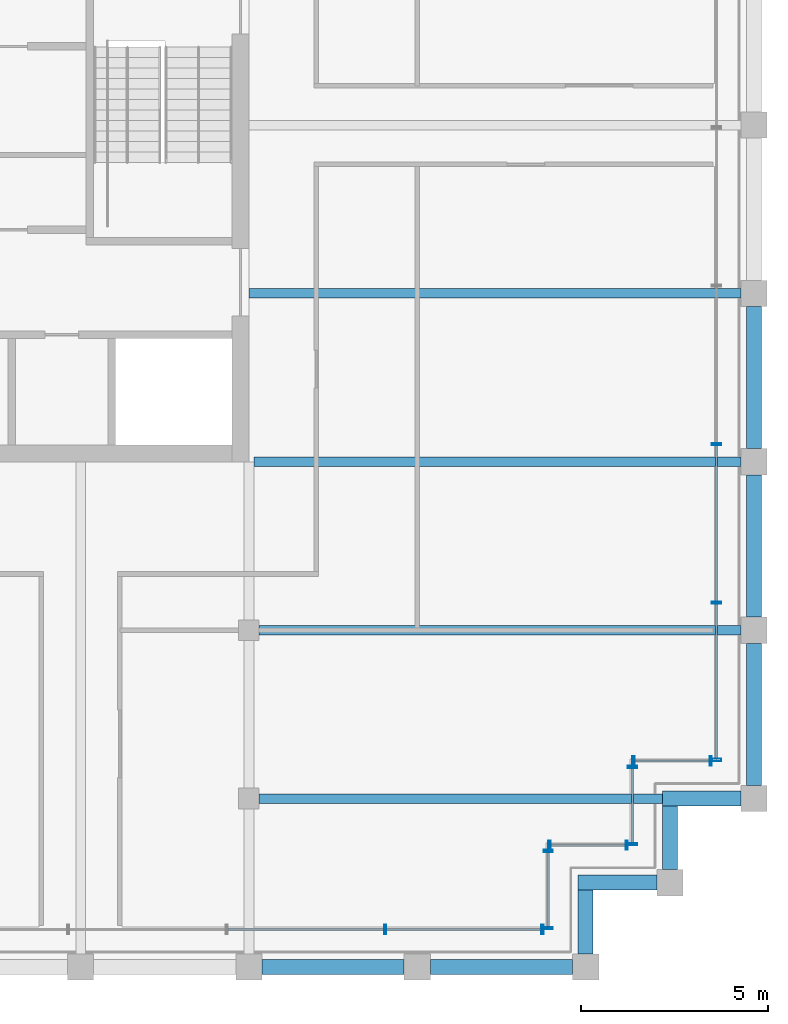
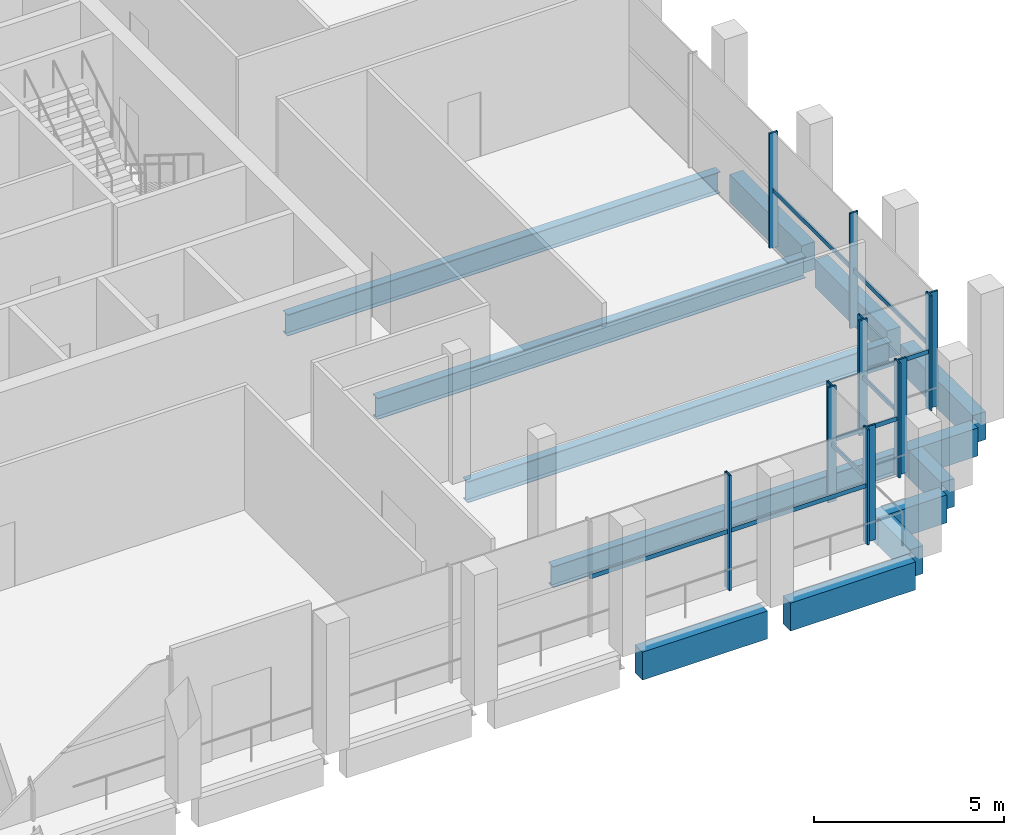
# One storey, part 8 of 17: 21 members, 13 beams, 6 elements without a shape of their own.
"""IFC4 building model written with IfcOpenShell, lengths in metres."""

from ifc_helpers import new_model, si_unit, direction, frame, origin, origin_2d, place, context, subcontext, project, spatial, rectangle, hollow_rectangle, i_section, extrude, material, material_profile, profile_set, type_object, element, aggregate, save


model = new_model("IFC4")

# Units and contexts
model_context = context("Model", 3, precision=1e-05, world=origin(), true_north=direction((0.0, 1.0)))
body_context = subcontext(model_context, "Body", "Model", "MODEL_VIEW")
ifc_project = project(units=[si_unit("LENGTHUNIT", "METRE"), si_unit("AREAUNIT", "SQUARE_METRE"), si_unit("VOLUMEUNIT", "CUBIC_METRE"), si_unit("PLANEANGLEUNIT", "RADIAN"), si_unit("MASSUNIT", "GRAM", prefix="KILO")], contexts=[model_context])

# Site, building, storey
site_placement = place(None, origin())
site = spatial("IfcSite", under=ifc_project, at=site_placement, CompositionType="ELEMENT")
building_placement = place(site_placement, origin())
building = spatial("IfcBuilding", under=site, at=building_placement, Name="Altepetl Exchange Towers", CompositionType="ELEMENT")
storey_placement = place(building_placement, frame((0.0, 0.0, 259.39990234375)))
storey = spatial("IfcBuildingStorey", under=building, at=storey_placement, Name="L66", CompositionType="ELEMENT", Elevation=259.39990234375)

# Beams
ifc_material_1 = material(Name="Steel S355", Category="steel")
ifc_material_profile_1 = material_profile(ifc_material_1, i_section(OverallWidth=0.25390625, OverallDepth=0.68408203125, WebThickness=0.012451171875, FlangeThickness=0.018798828125, at=origin_2d()), Name="W27X94")
ifc_profile_set_1 = profile_set([ifc_material_profile_1], Name="Steel S355")
beam_type_1 = type_object("IfcBeamType", Name="Floor beam W27X94", PredefinedType="BEAM", material=ifc_profile_set_1)
beam_1_placement = place(storey_placement, frame((58.77490234375, 31.5, -0.516845703125), z_axis=(1.0, 0.0, 0.0), x_axis=(0.0, 1.0, 0.0)))
element("IfcBeam", 1, at=beam_1_placement, inside=storey, type_object=beam_type_1, Name="bm:A:L66:006", PredefinedType="BEAM", context=body_context, shape_type="SweptSolid", body=[
    extrude(i_section(OverallWidth=0.25390625, OverallDepth=0.68408203125, WebThickness=0.012451171875, FlangeThickness=0.018798828125, at=origin_2d()), origin(), (0.0, 0.0, 1.0), 10.775146484375),
])
beam_2_placement = place(storey_placement, frame((58.77490234375, 36.0, -0.516845703125), z_axis=(1.0, 0.0, 0.0), x_axis=(0.0, 1.0, 0.0)))
element("IfcBeam", 2, at=beam_2_placement, inside=storey, type_object=beam_type_1, Name="bm:A:L66:007", PredefinedType="BEAM", context=body_context, shape_type="SweptSolid", body=[
    extrude(i_section(OverallWidth=0.25390625, OverallDepth=0.68408203125, WebThickness=0.012451171875, FlangeThickness=0.018798828125, at=origin_2d()), origin(), (0.0, 0.0, 1.0), 12.875),
])
beam_3_placement = place(storey_placement, frame((58.634033203125, 40.5, -0.516845703125), z_axis=(1.0, 0.0, 0.0), x_axis=(0.0, 1.0, 0.0)))
element("IfcBeam", 3, at=beam_3_placement, inside=storey, type_object=beam_type_1, Name="bm:A:L66:008", PredefinedType="BEAM", context=body_context, shape_type="SweptSolid", body=[
    extrude(i_section(OverallWidth=0.25390625, OverallDepth=0.68408203125, WebThickness=0.012451171875, FlangeThickness=0.018798828125, at=origin_2d()), origin(), (0.0, 0.0, 1.0), 13.015869140625),
])
beam_4_placement = place(storey_placement, frame((58.5, 45.0, -0.516845703125), z_axis=(1.0, 0.0, 0.0), x_axis=(0.0, 1.0, 0.0)))
element("IfcBeam", 4, at=beam_4_placement, inside=storey, type_object=beam_type_1, Name="bm:A:L66:009", PredefinedType="BEAM", context=body_context, shape_type="SweptSolid", body=[
    extrude(i_section(OverallWidth=0.25390625, OverallDepth=0.68408203125, WebThickness=0.012451171875, FlangeThickness=0.018798828125, at=origin_2d()), origin(), (0.0, 0.0, 1.0), 13.14990234375),
])

# Curtain wall, members
ifc_material_2 = material(Name="Aluminium 6063-T6 glazing", Category="aluminium")
curtain_wall_type = type_object("IfcCurtainWallType", Name="Executive flush glazing system", PredefinedType="NOTDEFINED", material=ifc_material_2)
curtain_wall_1_placement = place(storey_placement, origin())
curtain_wall_1 = element("IfcCurtainWall", 5, at=curtain_wall_1_placement, inside=storey, type_object=curtain_wall_type, Name="CW4 run", PredefinedType="NOTDEFINED")
ifc_material_3 = material(Name="Aluminium 6063-T6", Category="aluminium")
ifc_material_profile_2 = material_profile(ifc_material_3, hollow_rectangle(XDim=0.06005859375, YDim=0.25, WallThickness=0.0029296875, at=origin_2d()), Name="Mullion 60x250 hollow aluminium")
ifc_profile_set_2 = profile_set([ifc_material_profile_2], Name="Aluminium 6063-T6")
member_type_1 = type_object("IfcMemberType", Name="Mullion 60x250 hollow aluminium", PredefinedType="MULLION", material=ifc_profile_set_2)
member_1_placement = place(storey_placement, frame((62.140625, 28.0, 0.0)))
member_1 = element("IfcMember", 6, at=member_1_placement, type_object=member_type_1, Name="MU3 mullion", PredefinedType="MULLION", context=body_context, shape_type="SweptSolid", body=[
    extrude(hollow_rectangle(XDim=0.06005859375, YDim=0.25, WallThickness=0.0029296875, at=origin_2d()), origin(), (0.0, 0.0, 1.0), 3.7001953125),
])
member_2_placement = place(storey_placement, frame((66.344970703125, 28.0, 0.0)))
member_2 = element("IfcMember", 7, at=member_2_placement, type_object=member_type_1, Name="MU3 mullion", PredefinedType="MULLION", context=body_context, shape_type="SweptSolid", body=[
    extrude(hollow_rectangle(XDim=0.06005859375, YDim=0.25, WallThickness=0.0029296875, at=origin_2d()), origin(), (0.0, 0.0, 1.0), 3.7001953125),
])

curtain_wall_2_placement = place(storey_placement, origin())
curtain_wall_2 = element("IfcCurtainWall", 8, at=curtain_wall_2_placement, inside=storey, type_object=curtain_wall_type, Name="CW4 run", PredefinedType="NOTDEFINED")
member_3_placement = place(storey_placement, frame((66.5, 28.030029296875, 0.0), z_axis=(0.0, 0.0, 1.0), x_axis=(0.0, 1.0, 0.0)))
member_3 = element("IfcMember", 9, at=member_3_placement, type_object=member_type_1, Name="MU3 mullion", PredefinedType="MULLION", context=body_context, shape_type="SweptSolid", body=[
    extrude(hollow_rectangle(XDim=0.06005859375, YDim=0.25, WallThickness=0.0029296875, at=origin_2d()), origin(), (0.0, 0.0, 1.0), 3.7001953125),
])
member_4_placement = place(storey_placement, frame((66.5, 30.094970703125, 0.0), z_axis=(0.0, 0.0, 1.0), x_axis=(0.0, 1.0, 0.0)))
member_4 = element("IfcMember", 10, at=member_4_placement, type_object=member_type_1, Name="MU3 mullion", PredefinedType="MULLION", context=body_context, shape_type="SweptSolid", body=[
    extrude(hollow_rectangle(XDim=0.06005859375, YDim=0.25, WallThickness=0.0029296875, at=origin_2d()), origin(), (0.0, 0.0, 1.0), 3.7001953125),
])

curtain_wall_3_placement = place(storey_placement, origin())
curtain_wall_3 = element("IfcCurtainWall", 11, at=curtain_wall_3_placement, inside=storey, type_object=curtain_wall_type, Name="CW4 run", PredefinedType="NOTDEFINED")
member_5_placement = place(storey_placement, frame((66.530029296875, 30.25, 0.0)))
member_5 = element("IfcMember", 12, at=member_5_placement, type_object=member_type_1, Name="MU3 mullion", PredefinedType="MULLION", context=body_context, shape_type="SweptSolid", body=[
    extrude(hollow_rectangle(XDim=0.06005859375, YDim=0.25, WallThickness=0.0029296875, at=origin_2d()), origin(), (0.0, 0.0, 1.0), 3.7001953125),
])
member_6_placement = place(storey_placement, frame((68.594970703125, 30.25, 0.0)))
member_6 = element("IfcMember", 13, at=member_6_placement, type_object=member_type_1, Name="MU3 mullion", PredefinedType="MULLION", context=body_context, shape_type="SweptSolid", body=[
    extrude(hollow_rectangle(XDim=0.06005859375, YDim=0.25, WallThickness=0.0029296875, at=origin_2d()), origin(), (0.0, 0.0, 1.0), 3.7001953125),
])

curtain_wall_4_placement = place(storey_placement, origin())
curtain_wall_4 = element("IfcCurtainWall", 14, at=curtain_wall_4_placement, inside=storey, type_object=curtain_wall_type, Name="CW4 run", PredefinedType="NOTDEFINED")
member_7_placement = place(storey_placement, frame((68.75, 30.280029296875, 0.0), z_axis=(0.0, 0.0, 1.0), x_axis=(0.0, 1.0, 0.0)))
member_7 = element("IfcMember", 15, at=member_7_placement, type_object=member_type_1, Name="MU3 mullion", PredefinedType="MULLION", context=body_context, shape_type="SweptSolid", body=[
    extrude(hollow_rectangle(XDim=0.06005859375, YDim=0.25, WallThickness=0.0029296875, at=origin_2d()), origin(), (0.0, 0.0, 1.0), 3.7001953125),
])
member_8_placement = place(storey_placement, frame((68.75, 32.344970703125, 0.0), z_axis=(0.0, 0.0, 1.0), x_axis=(0.0, 1.0, 0.0)))
member_8 = element("IfcMember", 16, at=member_8_placement, type_object=member_type_1, Name="MU3 mullion", PredefinedType="MULLION", context=body_context, shape_type="SweptSolid", body=[
    extrude(hollow_rectangle(XDim=0.06005859375, YDim=0.25, WallThickness=0.0029296875, at=origin_2d()), origin(), (0.0, 0.0, 1.0), 3.7001953125),
])

curtain_wall_5_placement = place(storey_placement, origin())
curtain_wall_5 = element("IfcCurtainWall", 17, at=curtain_wall_5_placement, inside=storey, type_object=curtain_wall_type, Name="CW4 run", PredefinedType="NOTDEFINED")
member_9_placement = place(storey_placement, frame((68.780029296875, 32.5, 0.0)))
member_9 = element("IfcMember", 18, at=member_9_placement, type_object=member_type_1, Name="MU3 mullion", PredefinedType="MULLION", context=body_context, shape_type="SweptSolid", body=[
    extrude(hollow_rectangle(XDim=0.06005859375, YDim=0.25, WallThickness=0.0029296875, at=origin_2d()), origin(), (0.0, 0.0, 1.0), 3.7001953125),
])
member_10_placement = place(storey_placement, frame((70.844970703125, 32.5, 0.0)))
member_10 = element("IfcMember", 19, at=member_10_placement, type_object=member_type_1, Name="MU3 mullion", PredefinedType="MULLION", context=body_context, shape_type="SweptSolid", body=[
    extrude(hollow_rectangle(XDim=0.06005859375, YDim=0.25, WallThickness=0.0029296875, at=origin_2d()), origin(), (0.0, 0.0, 1.0), 3.7001953125),
])

curtain_wall_6_placement = place(storey_placement, origin())
curtain_wall_6 = element("IfcCurtainWall", 20, at=curtain_wall_6_placement, inside=storey, type_object=curtain_wall_type, Name="CW4 run", PredefinedType="NOTDEFINED")
member_11_placement = place(storey_placement, frame((71.0, 32.530029296875, 0.0), z_axis=(0.0, 0.0, 1.0), x_axis=(0.0, 1.0, 0.0)))
member_11 = element("IfcMember", 21, at=member_11_placement, type_object=member_type_1, Name="MU3 mullion", PredefinedType="MULLION", context=body_context, shape_type="SweptSolid", body=[
    extrude(hollow_rectangle(XDim=0.06005859375, YDim=0.25, WallThickness=0.0029296875, at=origin_2d()), origin(), (0.0, 0.0, 1.0), 3.7001953125),
])
member_12_placement = place(storey_placement, frame((71.0, 36.734375, 0.0), z_axis=(0.0, 0.0, 1.0), x_axis=(0.0, 1.0, 0.0)))
member_12 = element("IfcMember", 22, at=member_12_placement, type_object=member_type_1, Name="MU3 mullion", PredefinedType="MULLION", context=body_context, shape_type="SweptSolid", body=[
    extrude(hollow_rectangle(XDim=0.06005859375, YDim=0.25, WallThickness=0.0029296875, at=origin_2d()), origin(), (0.0, 0.0, 1.0), 3.7001953125),
])
member_13_placement = place(storey_placement, frame((71.0, 40.96875, 0.0), z_axis=(0.0, 0.0, 1.0), x_axis=(0.0, 1.0, 0.0)))
member_13 = element("IfcMember", 23, at=member_13_placement, type_object=member_type_1, Name="MU3 mullion", PredefinedType="MULLION", context=body_context, shape_type="SweptSolid", body=[
    extrude(hollow_rectangle(XDim=0.06005859375, YDim=0.25, WallThickness=0.0029296875, at=origin_2d()), origin(), (0.0, 0.0, 1.0), 3.7001953125),
])

# Beams
ifc_material_4 = material(Name="Concrete C50/60 precast with cantera amarilla facing", Category="concrete")
ifc_material_profile_3 = material_profile(ifc_material_4, rectangle(XDim=0.39990234375, YDim=0.89990234375, at=origin_2d()), Name="400 x 900")
ifc_profile_set_3 = profile_set([ifc_material_profile_3], Name="Concrete C50/60 precast with cantera amarilla facing")
beam_type_2 = type_object("IfcBeamType", Name="Spandrel beam 400x900 cantera amarilla", PredefinedType="SPANDREL", material=ifc_profile_set_3)
for number, where, z_axis, x_axis, name in (
    (24, (58.85009765625, 27.0, -0.625), (1.0, 0.0, 0.0), (0.0, 1.0, 0.0), "sp:A:L66:006"),
    (25, (63.35009765625, 27.0, -0.625), (1.0, 0.0, 0.0), (0.0, 1.0, 0.0), "sp:A:L66:007"),
):
    element("IfcBeam", number, at=place(storey_placement, frame(where, z_axis=z_axis, x_axis=x_axis)), inside=storey, type_object=beam_type_2, Name=name, PredefinedType="SPANDREL", context=body_context, shape_type="SweptSolid", body=[
        extrude(rectangle(XDim=0.39990234375, YDim=0.89990234375, at=origin_2d()), origin(), (0.0, 0.0, 1.0), 3.7998046875),
    ])
beam_5_placement = place(storey_placement, frame((67.5, 27.35009765625, -0.625), z_axis=(0.0, 1.0, 0.0), x_axis=(-1.0, 0.0, 0.0)))
element("IfcBeam", 26, at=beam_5_placement, inside=storey, type_object=beam_type_2, Name="sp:A:L66:008", PredefinedType="SPANDREL", context=body_context, shape_type="SweptSolid", body=[
    extrude(rectangle(XDim=0.39990234375, YDim=0.89990234375, at=origin_2d()), origin(), (0.0, 0.0, 1.0), 1.699951171875),
])
beam_6_placement = place(storey_placement, frame((67.300048828125, 29.25, -0.625), z_axis=(1.0, 0.0, 0.0), x_axis=(0.0, 1.0, 0.0)))
element("IfcBeam", 27, at=beam_6_placement, inside=storey, type_object=beam_type_2, Name="sp:A:L66:009", PredefinedType="SPANDREL", context=body_context, shape_type="SweptSolid", body=[
    extrude(rectangle(XDim=0.39990234375, YDim=0.89990234375, at=origin_2d()), origin(), (0.0, 0.0, 1.0), 2.099853515625),
])
beam_7_placement = place(storey_placement, frame((69.75, 29.60009765625, -0.625), z_axis=(0.0, 1.0, 0.0), x_axis=(-1.0, 0.0, 0.0)))
element("IfcBeam", 28, at=beam_7_placement, inside=storey, type_object=beam_type_2, Name="sp:A:L66:010", PredefinedType="SPANDREL", context=body_context, shape_type="SweptSolid", body=[
    extrude(rectangle(XDim=0.39990234375, YDim=0.89990234375, at=origin_2d()), origin(), (0.0, 0.0, 1.0), 1.699951171875),
])
beam_8_placement = place(storey_placement, frame((69.550048828125, 31.5, -0.625), z_axis=(1.0, 0.0, 0.0), x_axis=(0.0, 1.0, 0.0)))
element("IfcBeam", 29, at=beam_8_placement, inside=storey, type_object=beam_type_2, Name="sp:A:L66:011", PredefinedType="SPANDREL", context=body_context, shape_type="SweptSolid", body=[
    extrude(rectangle(XDim=0.39990234375, YDim=0.89990234375, at=origin_2d()), origin(), (0.0, 0.0, 1.0), 2.099853515625),
])
for number, where, z_axis, x_axis, name in (
    (30, (72.0, 31.85009765625, -0.625), (0.0, 1.0, 0.0), (-1.0, 0.0, 0.0), "sp:A:L66:012"),
    (31, (72.0, 36.35009765625, -0.625), (0.0, 1.0, 0.0), (-1.0, 0.0, 0.0), "sp:A:L66:013"),
    (32, (72.0, 40.85009765625, -0.625), (0.0, 1.0, 0.0), (-1.0, 0.0, 0.0), "sp:A:L66:014"),
):
    element("IfcBeam", number, at=place(storey_placement, frame(where, z_axis=z_axis, x_axis=x_axis)), inside=storey, type_object=beam_type_2, Name=name, PredefinedType="SPANDREL", context=body_context, shape_type="SweptSolid", body=[
        extrude(rectangle(XDim=0.39990234375, YDim=0.89990234375, at=origin_2d()), origin(), (0.0, 0.0, 1.0), 3.7998046875),
    ])

# Member
ifc_material_profile_4 = material_profile(ifc_material_3, hollow_rectangle(XDim=0.050048828125, YDim=0.139892578125, WallThickness=0.0029296875, at=origin_2d()), Name="Transom 50x140 hollow aluminium")
ifc_profile_set_4 = profile_set([ifc_material_profile_4], Name="Aluminium 6063-T6")
member_type_2 = type_object("IfcMemberType", Name="Transom 50x140 hollow aluminium", PredefinedType="USERDEFINED", material=ifc_profile_set_4)
member_14_placement = place(storey_placement, frame((57.936279296875, 28.0, 1.85009765625), z_axis=(1.0, 0.0, 0.0), x_axis=(0.0, 1.0, 0.0)))
member_14 = element("IfcMember", 33, at=member_14_placement, type_object=member_type_2, Name="TR2 transom", ObjectType="TRANSOM", PredefinedType="USERDEFINED", context=body_context, shape_type="SweptSolid", body=[
    extrude(hollow_rectangle(XDim=0.050048828125, YDim=0.139892578125, WallThickness=0.0029296875, at=origin_2d()), origin(), (0.0, 0.0, 1.0), 4.17431640625),
])

member_15_placement = place(storey_placement, frame((62.170654296875, 28.0, 1.85009765625), z_axis=(1.0, 0.0, 0.0), x_axis=(0.0, 1.0, 0.0)))
member_15 = element("IfcMember", 34, at=member_15_placement, type_object=member_type_2, Name="TR2 transom", ObjectType="TRANSOM", PredefinedType="USERDEFINED", context=body_context, shape_type="SweptSolid", body=[
    extrude(hollow_rectangle(XDim=0.050048828125, YDim=0.139892578125, WallThickness=0.0029296875, at=origin_2d()), origin(), (0.0, 0.0, 1.0), 4.144287109375),
])

aggregate(curtain_wall_1, [member_1, member_2, member_14, member_15])

member_16_placement = place(storey_placement, frame((66.5, 28.06005859375, 1.85009765625), z_axis=(0.0, 1.0, 0.0), x_axis=(-1.0, 0.0, 0.0)))
member_16 = element("IfcMember", 35, at=member_16_placement, type_object=member_type_2, Name="TR2 transom", ObjectType="TRANSOM", PredefinedType="USERDEFINED", context=body_context, shape_type="SweptSolid", body=[
    extrude(hollow_rectangle(XDim=0.050048828125, YDim=0.139892578125, WallThickness=0.0029296875, at=origin_2d()), origin(), (0.0, 0.0, 1.0), 2.0048828125),
])

aggregate(curtain_wall_2, [member_3, member_4, member_16])

member_17_placement = place(storey_placement, frame((66.56005859375, 30.25, 1.85009765625), z_axis=(1.0, 0.0, 0.0), x_axis=(0.0, 1.0, 0.0)))
member_17 = element("IfcMember", 36, at=member_17_placement, type_object=member_type_2, Name="TR2 transom", ObjectType="TRANSOM", PredefinedType="USERDEFINED", context=body_context, shape_type="SweptSolid", body=[
    extrude(hollow_rectangle(XDim=0.050048828125, YDim=0.139892578125, WallThickness=0.0029296875, at=origin_2d()), origin(), (0.0, 0.0, 1.0), 2.0048828125),
])

aggregate(curtain_wall_3, [member_5, member_6, member_17])

member_18_placement = place(storey_placement, frame((68.75, 30.31005859375, 1.85009765625), z_axis=(0.0, 1.0, 0.0), x_axis=(-1.0, 0.0, 0.0)))
member_18 = element("IfcMember", 37, at=member_18_placement, type_object=member_type_2, Name="TR2 transom", ObjectType="TRANSOM", PredefinedType="USERDEFINED", context=body_context, shape_type="SweptSolid", body=[
    extrude(hollow_rectangle(XDim=0.050048828125, YDim=0.139892578125, WallThickness=0.0029296875, at=origin_2d()), origin(), (0.0, 0.0, 1.0), 2.0048828125),
])

aggregate(curtain_wall_4, [member_7, member_8, member_18])

member_19_placement = place(storey_placement, frame((68.81005859375, 32.5, 1.85009765625), z_axis=(1.0, 0.0, 0.0), x_axis=(0.0, 1.0, 0.0)))
member_19 = element("IfcMember", 38, at=member_19_placement, type_object=member_type_2, Name="TR2 transom", ObjectType="TRANSOM", PredefinedType="USERDEFINED", context=body_context, shape_type="SweptSolid", body=[
    extrude(hollow_rectangle(XDim=0.050048828125, YDim=0.139892578125, WallThickness=0.0029296875, at=origin_2d()), origin(), (0.0, 0.0, 1.0), 2.0048828125),
])

aggregate(curtain_wall_5, [member_9, member_10, member_19])

member_20_placement = place(storey_placement, frame((71.0, 32.56005859375, 1.85009765625), z_axis=(0.0, 1.0, 0.0), x_axis=(-1.0, 0.0, 0.0)))
member_20 = element("IfcMember", 39, at=member_20_placement, type_object=member_type_2, Name="TR2 transom", ObjectType="TRANSOM", PredefinedType="USERDEFINED", context=body_context, shape_type="SweptSolid", body=[
    extrude(hollow_rectangle(XDim=0.050048828125, YDim=0.139892578125, WallThickness=0.0029296875, at=origin_2d()), origin(), (0.0, 0.0, 1.0), 4.144287109375),
])

member_21_placement = place(storey_placement, frame((71.0, 36.764404296875, 1.85009765625), z_axis=(0.0, 1.0, 0.0), x_axis=(-1.0, 0.0, 0.0)))
member_21 = element("IfcMember", 40, at=member_21_placement, type_object=member_type_2, Name="TR2 transom", ObjectType="TRANSOM", PredefinedType="USERDEFINED", context=body_context, shape_type="SweptSolid", body=[
    extrude(hollow_rectangle(XDim=0.050048828125, YDim=0.139892578125, WallThickness=0.0029296875, at=origin_2d()), origin(), (0.0, 0.0, 1.0), 4.17431640625),
])

aggregate(curtain_wall_6, [member_11, member_12, member_13, member_20, member_21])

save(model, "model.ifc")
